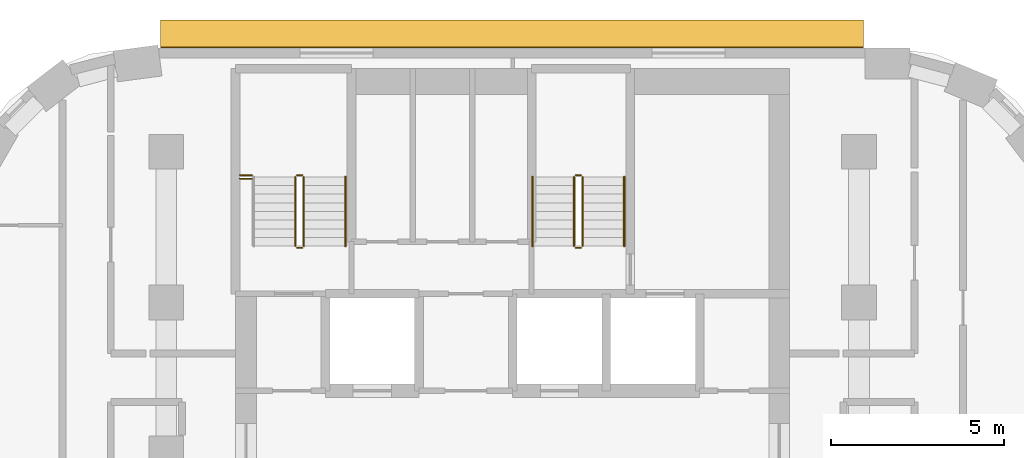
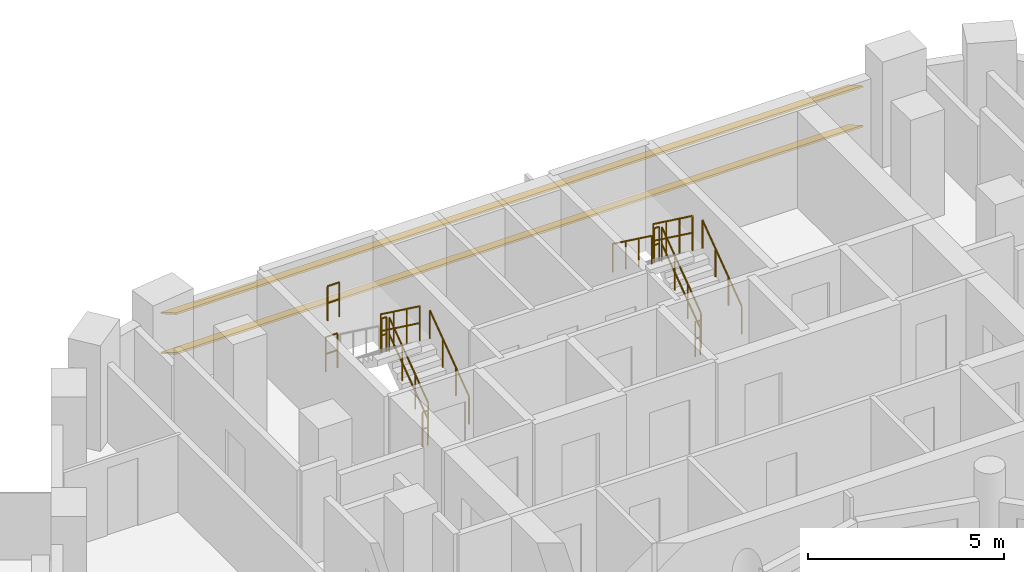
# One storey, part 13 of 13: 13 railings, 2 shading devices.
"""IFC4 building model written with IfcOpenShell, lengths in metres."""

from ifc_helpers import new_model, si_unit, direction, frame, origin, origin_2d, place, context, subcontext, project, spatial, rectangle, circle, extrude, material, material_profile, profile_set, type_object, element, save


model = new_model("IFC4")

# Units and contexts
model_context = context("Model", 3, precision=1e-05, world=origin(), true_north=direction((0.0, 1.0)))
body_context = subcontext(model_context, "Body", "Model", "MODEL_VIEW")
ifc_project = project(units=[si_unit("LENGTHUNIT", "METRE"), si_unit("AREAUNIT", "SQUARE_METRE"), si_unit("VOLUMEUNIT", "CUBIC_METRE"), si_unit("PLANEANGLEUNIT", "RADIAN"), si_unit("MASSUNIT", "GRAM", prefix="KILO")], contexts=[model_context])

# Site, building, storey
site_placement = place(None, origin())
site = spatial("IfcSite", under=ifc_project, at=site_placement, CompositionType="ELEMENT")
building_placement = place(site_placement, origin())
building = spatial("IfcBuilding", under=site, at=building_placement, Name="Nakaniwa Court", CompositionType="ELEMENT")
storey_placement = place(building_placement, frame((0.0, 0.0, 147.0)))
storey = spatial("IfcBuildingStorey", under=building, at=storey_placement, Name="L38", CompositionType="ELEMENT", Elevation=147.0)

# Shading devices
ifc_material_1 = material(Name="Perforated charcoal ceramic louvre blade")
ifc_material_profile = material_profile(ifc_material_1, rectangle(XDim=0.89990234375, YDim=0.050048828125, at=origin_2d()), Name="Perforated ceramic louvre blade")
ifc_profile_set = profile_set([ifc_material_profile], Name="Perforated charcoal ceramic louvre blade")
shading_device_type = type_object("IfcShadingDeviceType", Name="Perforated ceramic louvre blade", PredefinedType="JALOUSIE", material=ifc_profile_set)
for number, where, z_axis, x_axis, name in (
    (1, (90.128662109375, 104.402099609375, 0.550048828125), (-1.0, 0.0, 0.0), (0.0, -0.866025403784, 0.5), "L38 perforated ceramic louvre blade w08 1"),
    (2, (90.128662109375, 104.402099609375, 1.793212890625), (-1.0, 0.0, 0.0), (0.0, -0.866025403784, 0.5), "L38 perforated ceramic louvre blade w08 2"),
):
    element("IfcShadingDevice", number, at=place(storey_placement, frame(where, z_axis=z_axis, x_axis=x_axis)), inside=storey, type_object=shading_device_type, Name=name, PredefinedType="JALOUSIE", context=body_context, shape_type="SweptSolid", body=[
        extrude(rectangle(XDim=0.89990234375, YDim=0.050048828125, at=origin_2d()), origin(), (0.0, 0.0, 1.0), 20.291259765625),
    ])

# Railings
ifc_material_2 = material(Name="Black powder coated steel guard", Category="steel")
railing_type_1 = type_object("IfcRailingType", Name="Stair guard 1100", PredefinedType="GUARDRAIL", material=ifc_material_2)
railing_1_placement = place(storey_placement, frame((73.97509765625, 98.27490234375, 0.183349609375)))
element("IfcRailing", 3, at=railing_1_placement, inside=storey, type_object=railing_type_1, Name="L38 ST1 stair guard 1", PredefinedType="GUARDRAIL", context=body_context, shape_type="SweptSolid", body=[
    extrude(circle(Radius=0.02392578125, at=origin_2d()), frame((0.0, 0.0, 1.076171875), z_axis=(0.0, 0.806426902644, 0.591333789573), x_axis=(-1.0, 0.0, 0.0)), (0.0, 0.0, 1.0), 2.47998046875),
    extrude(circle(Radius=0.02392578125, at=origin_2d()), frame((0.0, 0.0, 0.550048828125), z_axis=(0.0, 0.806426902644, 0.591333789573), x_axis=(-1.0, 0.0, 0.0)), (0.0, 0.0, 1.0), 2.47998046875),
    extrude(circle(Radius=0.02099609375, at=origin_2d()), origin(), (0.0, 0.0, 1.0), 1.052001953125),
    extrude(circle(Radius=0.02099609375, at=origin_2d()), frame((0.0, 0.666748046875, 0.48876953125)), (0.0, 0.0, 1.0), 1.052001953125),
    extrude(circle(Radius=0.02099609375, at=origin_2d()), frame((0.0, 1.333251953125, 0.977783203125)), (0.0, 0.0, 1.0), 1.052001953125),
    extrude(circle(Radius=0.02099609375, at=origin_2d()), frame((0.0, 2.0, 1.466552734375)), (0.0, 0.0, 1.0), 1.052001953125),
])
railing_2_placement = place(storey_placement, frame((73.925048828125, 100.324951171875, 1.64990234375)))
element("IfcRailing", 4, at=railing_2_placement, inside=storey, type_object=railing_type_1, Name="L38 ST1 stair guard 2", PredefinedType="GUARDRAIL", context=body_context, shape_type="SweptSolid", body=[
    extrude(circle(Radius=0.02392578125, at=origin_2d()), frame((0.0, 0.0, 1.076171875), z_axis=(-1.0, 0.0, 0.0), x_axis=(0.0, -1.0, 0.0)), (0.0, 0.0, 1.0), 0.150146484375),
    extrude(circle(Radius=0.02392578125, at=origin_2d()), frame((0.0, 0.0, 0.550048828125), z_axis=(-1.0, 0.0, 0.0), x_axis=(0.0, -1.0, 0.0)), (0.0, 0.0, 1.0), 0.150146484375),
    extrude(circle(Radius=0.02099609375, at=origin_2d()), origin(), (0.0, 0.0, 1.0), 1.052001953125),
    extrude(circle(Radius=0.02099609375, at=origin_2d()), frame((-0.150146484375, 0.0, 0.0)), (0.0, 0.0, 1.0), 1.052001953125),
])
railing_3_placement = place(storey_placement, frame((73.72509765625, 100.27490234375, 1.833251953125)))
element("IfcRailing", 5, at=railing_3_placement, inside=storey, type_object=railing_type_1, Name="L38 ST1 stair guard 3", PredefinedType="GUARDRAIL", context=body_context, shape_type="SweptSolid", body=[
    extrude(circle(Radius=0.02392578125, at=origin_2d()), frame((0.0, 0.0, 1.076171875), z_axis=(0.0, -0.806379959628, 0.591397802423), x_axis=(1.0, 0.0, 0.0)), (0.0, 0.0, 1.0), 2.480224609375),
    extrude(circle(Radius=0.02392578125, at=origin_2d()), frame((0.0, 0.0, 0.550048828125), z_axis=(0.0, -0.806379959628, 0.591397802423), x_axis=(1.0, 0.0, 0.0)), (0.0, 0.0, 1.0), 2.480224609375),
    extrude(circle(Radius=0.02099609375, at=origin_2d()), origin(), (0.0, 0.0, 1.0), 1.052001953125),
    extrude(circle(Radius=0.02099609375, at=origin_2d()), frame((0.0, -0.666748046875, 0.489013671875)), (0.0, 0.0, 1.0), 1.052001953125),
    extrude(circle(Radius=0.02099609375, at=origin_2d()), frame((0.0, -1.333251953125, 0.977783203125)), (0.0, 0.0, 1.0), 1.052001953125),
    extrude(circle(Radius=0.02099609375, at=origin_2d()), frame((0.0, -2.0, 1.466796875)), (0.0, 0.0, 1.0), 1.052001953125),
])
railing_4_placement = place(storey_placement, frame((73.925048828125, 98.22509765625, 0.0)))
element("IfcRailing", 6, at=railing_4_placement, inside=storey, type_object=railing_type_1, Name="L38 ST1 stair guard 4", PredefinedType="GUARDRAIL", context=body_context, shape_type="SweptSolid", body=[
    extrude(circle(Radius=0.02392578125, at=origin_2d()), frame((0.0, 0.0, 1.076171875), z_axis=(-1.0, 0.0, 0.0), x_axis=(0.0, -1.0, 0.0)), (0.0, 0.0, 1.0), 0.150146484375),
    extrude(circle(Radius=0.02392578125, at=origin_2d()), frame((0.0, 0.0, 0.550048828125), z_axis=(-1.0, 0.0, 0.0), x_axis=(0.0, -1.0, 0.0)), (0.0, 0.0, 1.0), 0.150146484375),
    extrude(circle(Radius=0.02099609375, at=origin_2d()), origin(), (0.0, 0.0, 1.0), 1.052001953125),
    extrude(circle(Radius=0.02099609375, at=origin_2d()), frame((-0.150146484375, 0.0, 0.0)), (0.0, 0.0, 1.0), 1.052001953125),
])
for number, where, name in (
    (7, (72.125, 100.324951171875, 1.64990234375), "L38 ST1 landing side guard 1W"),
    (8, (72.125, 100.22509765625, 3.300048828125), "L38 ST1 floor edge guard 1W"),
):
    element("IfcRailing", number, at=place(storey_placement, frame(where)), inside=storey, type_object=railing_type_1, Name=name, PredefinedType="GUARDRAIL", context=body_context, shape_type="SweptSolid", body=[
        extrude(circle(Radius=0.02392578125, at=origin_2d()), frame((0.0, 0.0, 1.076171875), z_axis=(1.0, 0.0, 0.0), x_axis=(0.0, 1.0, 0.0)), (0.0, 0.0, 1.0), 0.35009765625),
        extrude(circle(Radius=0.02392578125, at=origin_2d()), frame((0.0, 0.0, 0.550048828125), z_axis=(1.0, 0.0, 0.0), x_axis=(0.0, 1.0, 0.0)), (0.0, 0.0, 1.0), 0.35009765625),
        extrude(circle(Radius=0.02099609375, at=origin_2d()), origin(), (0.0, 0.0, 1.0), 1.052001953125),
        extrude(circle(Radius=0.02099609375, at=origin_2d()), frame((0.35009765625, 0.0, 0.0)), (0.0, 0.0, 1.0), 1.052001953125),
    ])
railing_5_placement = place(storey_placement, frame((82.02490234375, 98.27490234375, 0.183349609375)))
element("IfcRailing", 9, at=railing_5_placement, inside=storey, type_object=railing_type_1, Name="L38 ST2 stair guard 1", PredefinedType="GUARDRAIL", context=body_context, shape_type="SweptSolid", body=[
    extrude(circle(Radius=0.02392578125, at=origin_2d()), frame((0.0, 0.0, 1.076171875), z_axis=(0.0, 0.806426902644, 0.591333789573), x_axis=(-1.0, 0.0, 0.0)), (0.0, 0.0, 1.0), 2.47998046875),
    extrude(circle(Radius=0.02392578125, at=origin_2d()), frame((0.0, 0.0, 0.550048828125), z_axis=(0.0, 0.806426902644, 0.591333789573), x_axis=(-1.0, 0.0, 0.0)), (0.0, 0.0, 1.0), 2.47998046875),
    extrude(circle(Radius=0.02099609375, at=origin_2d()), origin(), (0.0, 0.0, 1.0), 1.052001953125),
    extrude(circle(Radius=0.02099609375, at=origin_2d()), frame((0.0, 0.666748046875, 0.48876953125)), (0.0, 0.0, 1.0), 1.052001953125),
    extrude(circle(Radius=0.02099609375, at=origin_2d()), frame((0.0, 1.333251953125, 0.977783203125)), (0.0, 0.0, 1.0), 1.052001953125),
    extrude(circle(Radius=0.02099609375, at=origin_2d()), frame((0.0, 2.0, 1.466552734375)), (0.0, 0.0, 1.0), 1.052001953125),
])
railing_6_placement = place(storey_placement, frame((81.97509765625, 100.324951171875, 1.64990234375)))
element("IfcRailing", 10, at=railing_6_placement, inside=storey, type_object=railing_type_1, Name="L38 ST2 stair guard 2", PredefinedType="GUARDRAIL", context=body_context, shape_type="SweptSolid", body=[
    extrude(circle(Radius=0.02392578125, at=origin_2d()), frame((0.0, 0.0, 1.076171875), z_axis=(-1.0, 0.0, 0.0), x_axis=(0.0, -1.0, 0.0)), (0.0, 0.0, 1.0), 0.150146484375),
    extrude(circle(Radius=0.02392578125, at=origin_2d()), frame((0.0, 0.0, 0.550048828125), z_axis=(-1.0, 0.0, 0.0), x_axis=(0.0, -1.0, 0.0)), (0.0, 0.0, 1.0), 0.150146484375),
    extrude(circle(Radius=0.02099609375, at=origin_2d()), origin(), (0.0, 0.0, 1.0), 1.052001953125),
    extrude(circle(Radius=0.02099609375, at=origin_2d()), frame((-0.150146484375, 0.0, 0.0)), (0.0, 0.0, 1.0), 1.052001953125),
])
railing_7_placement = place(storey_placement, frame((81.77490234375, 100.27490234375, 1.833251953125)))
element("IfcRailing", 11, at=railing_7_placement, inside=storey, type_object=railing_type_1, Name="L38 ST2 stair guard 3", PredefinedType="GUARDRAIL", context=body_context, shape_type="SweptSolid", body=[
    extrude(circle(Radius=0.02392578125, at=origin_2d()), frame((0.0, 0.0, 1.076171875), z_axis=(0.0, -0.806379959628, 0.591397802423), x_axis=(1.0, 0.0, 0.0)), (0.0, 0.0, 1.0), 2.480224609375),
    extrude(circle(Radius=0.02392578125, at=origin_2d()), frame((0.0, 0.0, 0.550048828125), z_axis=(0.0, -0.806379959628, 0.591397802423), x_axis=(1.0, 0.0, 0.0)), (0.0, 0.0, 1.0), 2.480224609375),
    extrude(circle(Radius=0.02099609375, at=origin_2d()), origin(), (0.0, 0.0, 1.0), 1.052001953125),
    extrude(circle(Radius=0.02099609375, at=origin_2d()), frame((0.0, -0.666748046875, 0.489013671875)), (0.0, 0.0, 1.0), 1.052001953125),
    extrude(circle(Radius=0.02099609375, at=origin_2d()), frame((0.0, -1.333251953125, 0.977783203125)), (0.0, 0.0, 1.0), 1.052001953125),
    extrude(circle(Radius=0.02099609375, at=origin_2d()), frame((0.0, -2.0, 1.466796875)), (0.0, 0.0, 1.0), 1.052001953125),
])
railing_8_placement = place(storey_placement, frame((81.97509765625, 98.22509765625, 0.0)))
element("IfcRailing", 12, at=railing_8_placement, inside=storey, type_object=railing_type_1, Name="L38 ST2 stair guard 4", PredefinedType="GUARDRAIL", context=body_context, shape_type="SweptSolid", body=[
    extrude(circle(Radius=0.02392578125, at=origin_2d()), frame((0.0, 0.0, 1.076171875), z_axis=(-1.0, 0.0, 0.0), x_axis=(0.0, -1.0, 0.0)), (0.0, 0.0, 1.0), 0.150146484375),
    extrude(circle(Radius=0.02392578125, at=origin_2d()), frame((0.0, 0.0, 0.550048828125), z_axis=(-1.0, 0.0, 0.0), x_axis=(0.0, -1.0, 0.0)), (0.0, 0.0, 1.0), 0.150146484375),
    extrude(circle(Radius=0.02099609375, at=origin_2d()), origin(), (0.0, 0.0, 1.0), 1.052001953125),
    extrude(circle(Radius=0.02099609375, at=origin_2d()), frame((-0.150146484375, 0.0, 0.0)), (0.0, 0.0, 1.0), 1.052001953125),
])
ifc_material_3 = material(Name="Black powder coated steel handrail", Category="steel")
railing_type_2 = type_object("IfcRailingType", Name="Stair handrail 900", PredefinedType="HANDRAIL", material=ifc_material_3)
for number, where, name in (
    (13, (75.175048828125, 98.27490234375, 0.183349609375), "L38 ST1 stair handrail 1"),
    (14, (83.22509765625, 98.27490234375, 0.183349609375), "L38 ST2 stair handrail 1"),
):
    element("IfcRailing", number, at=place(storey_placement, frame(where)), inside=storey, type_object=railing_type_2, Name=name, PredefinedType="HANDRAIL", context=body_context, shape_type="SweptSolid", body=[
        extrude(circle(Radius=0.02392578125, at=origin_2d()), frame((0.0, 0.0, 0.8759765625), z_axis=(0.0, 0.806426902644, 0.591333789573), x_axis=(-1.0, 0.0, 0.0)), (0.0, 0.0, 1.0), 2.47998046875),
        extrude(circle(Radius=0.02099609375, at=origin_2d()), origin(), (0.0, 0.0, 1.0), 0.851806640625),
        extrude(circle(Radius=0.02099609375, at=origin_2d()), frame((0.0, 0.666748046875, 0.48876953125)), (0.0, 0.0, 1.0), 0.851806640625),
        extrude(circle(Radius=0.02099609375, at=origin_2d()), frame((0.0, 1.333251953125, 0.977783203125)), (0.0, 0.0, 1.0), 0.851806640625),
        extrude(circle(Radius=0.02099609375, at=origin_2d()), frame((0.0, 2.0, 1.466552734375)), (0.0, 0.0, 1.0), 0.851806640625),
    ])
railing_9_placement = place(storey_placement, frame((80.574951171875, 100.27490234375, 1.833251953125)))
element("IfcRailing", 15, at=railing_9_placement, inside=storey, type_object=railing_type_2, Name="L38 ST2 stair handrail 2", PredefinedType="HANDRAIL", context=body_context, shape_type="SweptSolid", body=[
    extrude(circle(Radius=0.02392578125, at=origin_2d()), frame((0.0, 0.0, 0.8759765625), z_axis=(0.0, -0.806379959628, 0.591397802423), x_axis=(1.0, 0.0, 0.0)), (0.0, 0.0, 1.0), 2.480224609375),
    extrude(circle(Radius=0.02099609375, at=origin_2d()), origin(), (0.0, 0.0, 1.0), 0.851806640625),
    extrude(circle(Radius=0.02099609375, at=origin_2d()), frame((0.0, -0.666748046875, 0.489013671875)), (0.0, 0.0, 1.0), 0.851806640625),
    extrude(circle(Radius=0.02099609375, at=origin_2d()), frame((0.0, -1.333251953125, 0.977783203125)), (0.0, 0.0, 1.0), 0.851806640625),
    extrude(circle(Radius=0.02099609375, at=origin_2d()), frame((0.0, -2.0, 1.466796875)), (0.0, 0.0, 1.0), 0.851806640625),
])

save(model, "model.ifc")
